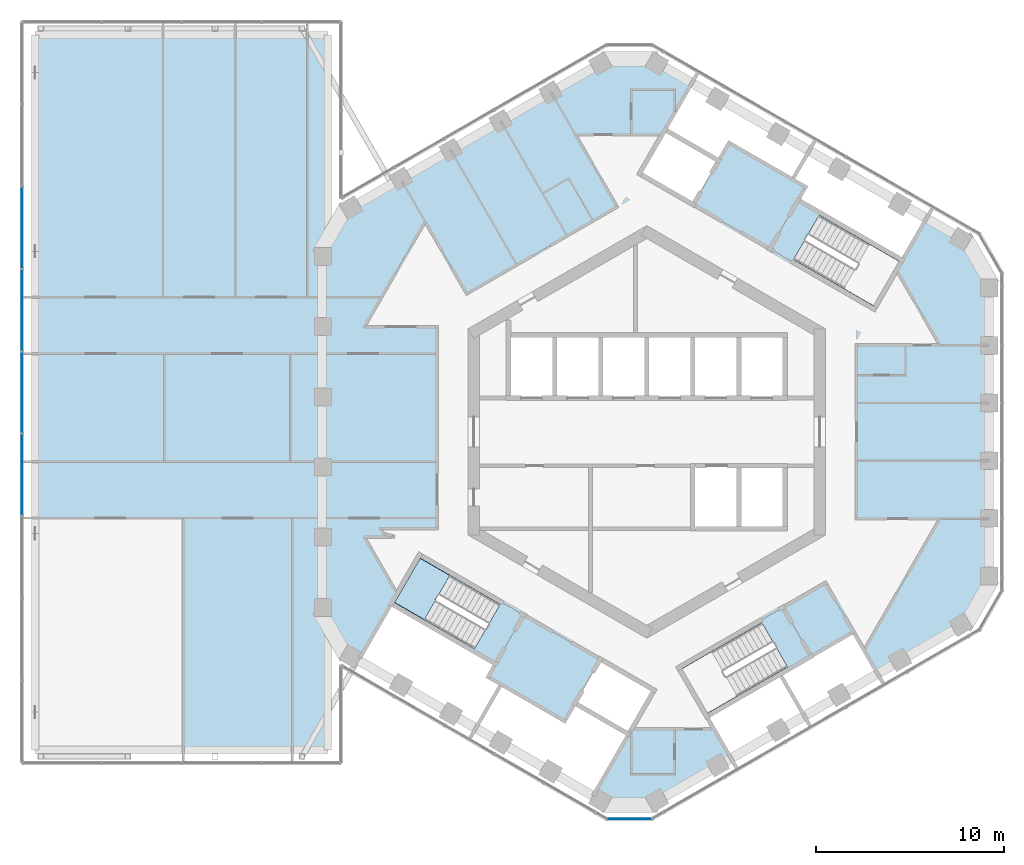
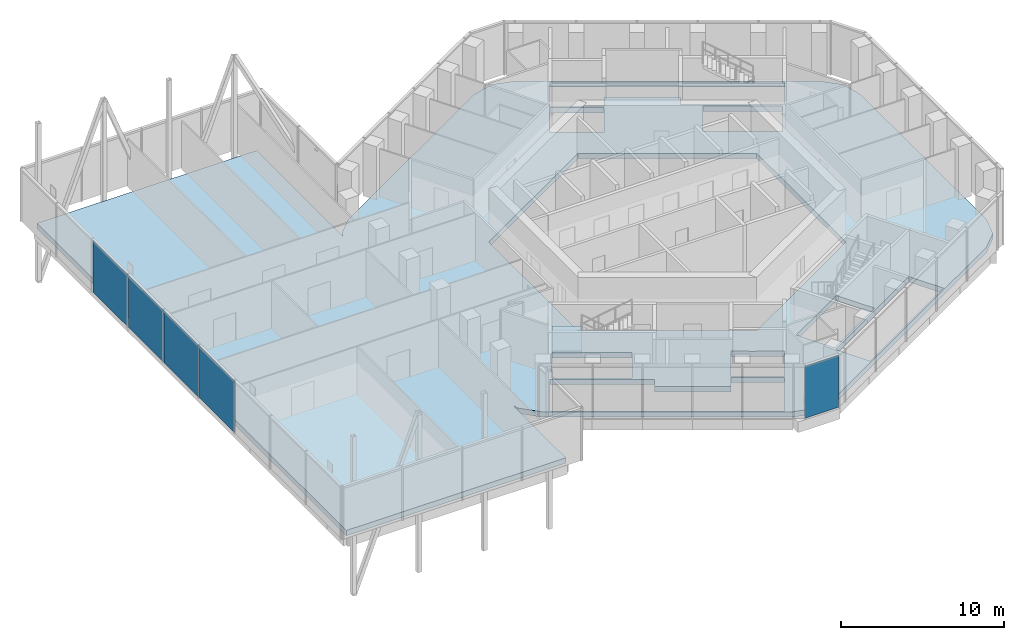
# One storey, part 10 of 21: 5 plates, 2 slabs, 3 elements without a shape of their own.
"""IFC4 building model written with IfcOpenShell, lengths in metres."""

import ifcopenshell
import ifcopenshell.guid

model = None  # the IFC model being written
_history = None  # IfcOwnerHistory: only IFC2X3 demands one
_inside = {}  # id of a spatial element -> (the spatial element, [elements in it])
_under = {}  # id of a project, library or spatial element -> (it, [spatial elements below it])
_declared = {}  # id of a project -> (the project, [libraries it declares])
_typed = {}  # id of a type object -> (the type object, [elements of that type])
_made_of = {}  # id of a material, layer set ... -> (it, [elements and type objects made of it])


def new_model(schema):
    """Start an empty IFC model of exactly this schema.

    Asked for "IFC4X3", IfcOpenShell would pick the latest addendum, in which some entities
    have other attributes; the version numbers below select the first issue.
    IFC2X3 requires an IfcOwnerHistory on every rooted entity: one is made here for all.
    """
    global model, _history
    if schema == "IFC4X3":
        model = ifcopenshell.file(schema_version=(4, 3, 0, 0))
    else:
        model = ifcopenshell.file(schema=schema)
    _inside.clear()
    _under.clear()
    _declared.clear()
    _typed.clear()
    _made_of.clear()
    _history = None
    if model.schema == "IFC2X3":
        org = make("IfcOrganization", Name="unknown")
        user = make(
            "IfcPersonAndOrganization",
            ThePerson=make("IfcPerson", FamilyName="unknown"),
            TheOrganization=org,
        )
        app = make(
            "IfcApplication",
            ApplicationDeveloper=org,
            Version="unknown",
            ApplicationFullName="unknown",
            ApplicationIdentifier="unknown",
        )
        _history = make(
            "IfcOwnerHistory",
            OwningUser=user,
            OwningApplication=app,
            ChangeAction="ADDED",
            CreationDate=0,
        )
    return model


def make(cls, **values):
    """One entity of the class cls with the attributes given. An attribute that is None is left unset."""
    return model.create_entity(
        cls, **{name: value for name, value in values.items() if value is not None}
    )


def rooted(cls, **values):
    """An entity with a GlobalId (a new one), such as an element, a storey or a relation."""
    return make(cls, GlobalId=ifcopenshell.guid.new(), OwnerHistory=_history, **values)


def si_unit(unit_type, name, prefix=None):
    """IfcSIUnit, for example si_unit("LENGTHUNIT", "METRE", prefix="MILLI")."""
    return make("IfcSIUnit", UnitType=unit_type, Prefix=prefix, Name=name)


def assignment(units):
    """IfcUnitAssignment: the units of a project."""
    return None if units is None else make("IfcUnitAssignment", Units=units)


def point(xyz):
    """IfcCartesianPoint."""
    return None if xyz is None else make("IfcCartesianPoint", Coordinates=xyz)


def direction(xyz):
    """IfcDirection."""
    return None if xyz is None else make("IfcDirection", DirectionRatios=xyz)


def frame(location, z_axis=None, x_axis=None):
    """IfcAxis2Placement3D, a coordinate frame: its origin and axes. An axis left out is left unset."""
    return make(
        "IfcAxis2Placement3D",
        Location=point(location),
        Axis=direction(z_axis),
        RefDirection=direction(x_axis),
    )


def frame_2d(location, x_axis=None):
    """IfcAxis2Placement2D, a coordinate frame in the plane: its origin and x axis."""
    return make(
        "IfcAxis2Placement2D", Location=point(location), RefDirection=direction(x_axis)
    )


def origin():
    """The frame at (0, 0, 0) with its axes left unset."""
    return frame((0.0, 0.0, 0.0))


def origin_2d():
    """The frame at (0, 0) in the plane with its x axis left unset."""
    return frame_2d((0.0, 0.0))


def place(relative_to, where):
    """IfcLocalPlacement: puts the frame where relative to a parent placement (None: the world)."""
    return make(
        "IfcLocalPlacement", PlacementRelTo=relative_to, RelativePlacement=where
    )


def context(
    kind, dimensions, precision=None, world=None, true_north=None, identifier=None
):
    """IfcGeometricRepresentationContext, for example the 3D "Model" context."""
    return make(
        "IfcGeometricRepresentationContext",
        ContextIdentifier=identifier,
        ContextType=kind,
        CoordinateSpaceDimension=dimensions,
        Precision=precision,
        WorldCoordinateSystem=world,
        TrueNorth=true_north,
    )


def subcontext(parent, identifier, kind, view, scale=None):
    """IfcGeometricRepresentationSubContext, for example "Body" below "Model"."""
    return make(
        "IfcGeometricRepresentationSubContext",
        ContextIdentifier=identifier,
        ContextType=kind,
        ParentContext=parent,
        TargetScale=scale,
        TargetView=view,
    )


def project(units=None, contexts=None):
    """IfcProject with its units and contexts."""
    return rooted(
        "IfcProject",
        Name="project",
        RepresentationContexts=contexts,
        UnitsInContext=assignment(units),
    )


def spatial(cls, under=None, at=None, **own):
    """A site, building, storey or space (cls), placed at a placement, below another one or the project."""
    s = rooted(cls, ObjectPlacement=at, **own)
    if under is not None:
        _under.setdefault(under.id(), (under, []))[1].append(s)
    return s


def polyline(points):
    """IfcPolyline through the points."""
    return make("IfcPolyline", Points=[point(p) for p in points])


def profile(cls, at=None, kind="AREA", **sizes):
    """A parametric profile (cls). Its sizes go by their IFC names, for example OverallWidth=200.0."""
    return make(cls, ProfileType=kind, Position=at, **sizes)


def rectangle(**sizes):
    """IfcRectangleProfileDef."""
    return profile("IfcRectangleProfileDef", **sizes)


def outline(outer, holes=None, kind="AREA"):
    """IfcArbitraryClosedProfileDef: a profile drawn as a closed curve; with holes, ...WithVoids."""
    if holes is None:
        return make("IfcArbitraryClosedProfileDef", ProfileType=kind, OuterCurve=outer)
    return make(
        "IfcArbitraryProfileDefWithVoids",
        ProfileType=kind,
        OuterCurve=outer,
        InnerCurves=holes,
    )


def extrude(swept, where, along, depth):
    """IfcExtrudedAreaSolid: the profile swept, set in the frame where, extruded along a direction by depth."""
    return make(
        "IfcExtrudedAreaSolid",
        SweptArea=swept,
        Position=where,
        ExtrudedDirection=direction(along),
        Depth=depth,
    )


def shape(context_of_items, identifier, shape_type, items):
    """IfcShapeRepresentation: the items that make up one representation, for example the "Body"."""
    return make(
        "IfcShapeRepresentation",
        ContextOfItems=context_of_items,
        RepresentationIdentifier=identifier,
        RepresentationType=shape_type,
        Items=items,
    )


def material(Name=None, Category=None):
    """IfcMaterial."""
    return make("IfcMaterial", Name=Name, Category=Category)


def layer(
    of_material, thickness, ventilated=None, Name=None, Category=None, Priority=None
):
    """IfcMaterialLayer: one layer of a wall or slab, of a material (None: an air gap)."""
    return make(
        "IfcMaterialLayer",
        Material=of_material,
        LayerThickness=thickness,
        IsVentilated=ventilated,
        Name=Name,
        Category=Category,
        Priority=Priority,
    )


def layer_set(layers, Name=None):
    """IfcMaterialLayerSet."""
    return make("IfcMaterialLayerSet", MaterialLayers=layers, LayerSetName=Name)


def made_of(thing, what):
    """Note that an element or type object is made of a material, layer set ...; save() writes the relation."""
    if what is not None:
        _made_of.setdefault(what.id(), (what, []))[1].append(thing)
    return thing


def type_object(cls, material=None, **own):
    """A type object (cls), such as IfcWallType, which elements share."""
    return made_of(rooted(cls, **own), material)


def element(
    cls,
    number,
    at=None,
    inside=None,
    cuts=None,
    type_object=None,
    material=None,
    context=None,
    identifier="Body",
    shape_type=None,
    held_by="IfcProductDefinitionShape",
    body=None,
    shapes=None,
    **own,
):
    """One element of the class cls, such as IfcWall. Its Tag is "e" and its number.

    at: its placement. inside: the storey or other place that contains it. cuts: it is an
    opening in that element (IfcRelVoidsElement). A single representation is given by context,
    identifier, shape_type and body (its items); several are given by shapes. held_by: the class
    of the entity that holds the representations. save() writes the other relations.
    """
    e = rooted(cls, Tag="e%d" % number, ObjectPlacement=at, **own)
    if body is not None:
        shapes = [shape(context, identifier, shape_type, body)]
    if shapes is not None:
        e.Representation = make(held_by, Representations=shapes)
    if inside is not None:
        _inside.setdefault(inside.id(), (inside, []))[1].append(e)
    if cuts is not None:
        rooted(
            "IfcRelVoidsElement", RelatingBuildingElement=cuts, RelatedOpeningElement=e
        )
    if type_object is not None:
        _typed.setdefault(type_object.id(), (type_object, []))[1].append(e)
    return made_of(e, material)


def aggregate(whole, parts):
    """IfcRelAggregates: a whole, such as a stair, and the parts it consists of."""
    return rooted("IfcRelAggregates", RelatingObject=whole, RelatedObjects=parts)


def save(model, path):
    """Write the relations noted so far, then the file.

    IfcRelAggregates (storeys below a building ...), IfcRelContainedInSpatialStructure (elements
    in a storey), IfcRelDefinesByType, IfcRelAssociatesMaterial and IfcRelDeclares: one each for
    every whole, place, type object, material and project.
    """
    for whole, parts in _under.values():
        aggregate(whole, parts)
    for where, things in _inside.values():
        rooted(
            "IfcRelContainedInSpatialStructure",
            RelatedElements=things,
            RelatingStructure=where,
        )
    for kind, things in _typed.values():
        rooted("IfcRelDefinesByType", RelatedObjects=things, RelatingType=kind)
    for what, things in _made_of.values():
        rooted("IfcRelAssociatesMaterial", RelatedObjects=things, RelatingMaterial=what)
    for by, libraries in _declared.values():
        rooted("IfcRelDeclares", RelatingContext=by, RelatedDefinitions=libraries)
    model.write(path)


model = new_model("IFC4")

# Units and contexts
model_context = context("Model", 3, precision=1e-05, world=origin(), true_north=direction((0.0, 1.0)))
body_context = subcontext(model_context, "Body", "Model", "MODEL_VIEW")
ifc_project = project(units=[si_unit("LENGTHUNIT", "METRE"), si_unit("AREAUNIT", "SQUARE_METRE"), si_unit("VOLUMEUNIT", "CUBIC_METRE"), si_unit("PLANEANGLEUNIT", "RADIAN"), si_unit("MASSUNIT", "GRAM", prefix="KILO")], contexts=[model_context])

# Site, building, storey
site_placement = place(None, origin())
site = spatial("IfcSite", under=ifc_project, at=site_placement, CompositionType="ELEMENT")
building_placement = place(site_placement, origin())
building = spatial("IfcBuilding", under=site, at=building_placement, Name="Ayvan Gate Tower", CompositionType="ELEMENT")
storey_placement = place(building_placement, frame((0.0, 0.0, 206.10009765625)))
storey = spatial("IfcBuildingStorey", under=building, at=storey_placement, Name="L55", CompositionType="ELEMENT", Elevation=206.10009765625)

# Slab
ifc_material_1 = material(Name="Concrete C40/50", Category="concrete")
ifc_layer_1 = layer(ifc_material_1, 0.39990234375)
ifc_layer_set_1 = layer_set([ifc_layer_1], Name="Concrete C40/50")
slab_type_1 = type_object("IfcSlabType", Name="Post-tensioned flat slab 400", PredefinedType="FLOOR", material=ifc_layer_set_1)
slab_1_placement = place(storey_placement, frame((0.0, 0.0, -0.400146484375)))
element("IfcSlab", 1, at=slab_1_placement, inside=storey, type_object=slab_type_1, Name="SL-L55", PredefinedType="FLOOR", context=body_context, shape_type="SweptSolid", body=[
    extrude(outline(polyline([(-16.8525390625, -10.80615234375), (-16.954345703125, -10.42578125), (-16.954345703125, -16.89990234375), (-32.524169921875, -16.89990234375), (-32.524169921875, 21.10009765625), (-16.954345703125, 21.10009765625), (-16.954345703125, 10.42578125), (-16.8525390625, 10.80615234375), (-15.75439453125, 11.904052734375), (-2.43212890625, 19.595947265625), (-0.93212890625, 19.997802734375), (0.56787109375, 19.595947265625), (16.6865234375, 10.289794921875), (17.78466796875, 9.191650390625), (18.1865234375, 7.691650390625), (18.1865234375, -7.691650390625), (17.78466796875, -9.191650390625), (16.6865234375, -10.289794921875), (0.56787109375, -19.595947265625), (-0.93212890625, -19.997802734375), (-2.43212890625, -19.595947265625), (-15.75439453125, -11.904052734375), (-16.8525390625, -10.80615234375)]), holes=[polyline([(8.44287109375, 13.0234375), (8.042724609375, 12.33056640625), (13.58544921875, 9.130615234375), (14.8125, 11.256103515625), (2.341796875, 18.4560546875), (1.0146484375, 16.157470703125), (3.87255859375, 14.50732421875), (4.37255859375, 15.373291015625), (7.75, 13.42333984375), (8.44287109375, 13.0234375)]), polyline([(7.80615234375, 9.170654296875), (12.049560546875, 6.720458984375), (13.404541015625, 9.0673828125), (9.1611328125, 11.517578125), (7.80615234375, 9.170654296875)]), polyline([(3.578369140625, -15.7978515625), (4.42041015625, -17.256103515625), (12.214599609375, -12.756103515625), (10.9873046875, -10.630615234375), (8.735595703125, -11.9306640625), (7.090087890625, -12.880615234375), (3.193115234375, -15.130615234375), (3.451904296875, -15.578857421875), (3.578369140625, -15.7978515625)]), polyline([(-9.5, -5.48486328125), (0.0, -10.9697265625), (9.5, -5.48486328125), (9.5, 5.48486328125), (0.0, 10.9697265625), (-9.5, 5.48486328125), (-9.5, -5.48486328125)]), polyline([(6.117431640625, -10.1455078125), (1.873779296875, -12.595458984375), (3.228759765625, -14.9423828125), (7.472412109375, -12.492431640625), (6.117431640625, -10.1455078125)]), polyline([(-0.385498046875, 13.732421875), (1.04443359375, 12.906982421875), (2.472412109375, 12.08251953125), (3.822509765625, 14.420654296875), (0.964599609375, 16.07080078125), (-0.385498046875, 13.732421875)]), polyline([(-1.17919921875, -12.829345703125), (-2.472412109375, -12.08251953125), (-3.822509765625, -14.420654296875), (-0.964599609375, -16.07080078125), (-0.806884765625, -15.7978515625), (-0.482421875, -15.235595703125), (0.385498046875, -13.732421875), (-0.515869140625, -13.212158203125), (-1.04443359375, -12.906982421875), (-1.17919921875, -12.829345703125)]), polyline([(-1.0146484375, -16.157470703125), (-3.87255859375, -14.50732421875), (-4.37255859375, -15.373291015625), (-7.75, -13.42333984375), (-8.44287109375, -13.0234375), (-8.042724609375, -12.33056640625), (-13.58544921875, -9.130615234375), (-15.278564453125, -12.0634765625), (-2.807861328125, -19.263427734375), (-1.0146484375, -16.157470703125)]), polyline([(-13.404541015625, -9.0673828125), (-9.1611328125, -11.517578125), (-7.80615234375, -9.170654296875), (-12.049560546875, -6.720458984375), (-13.404541015625, -9.0673828125)])]), origin(), (0.0, 0.0, 1.0), 0.400146484375),
])

# Stair, slab
stair_type = type_object("IfcStairType", Name="ST-EXIT", PredefinedType="HALF_TURN_STAIR", material=ifc_material_1)
stair_placement = place(storey_placement, origin())
stair = element("IfcStair", 2, at=stair_placement, inside=storey, type_object=stair_type, Name="L55 Exit Stair S2", PredefinedType="HALF_TURN_STAIR")
ifc_layer_2 = layer(ifc_material_1, 0.199951171875)
ifc_layer_set_2 = layer_set([ifc_layer_2], Name="Concrete C40/50")
slab_type_2 = type_object("IfcSlabType", Name="SL-LANDING-200", PredefinedType="LANDING", material=ifc_layer_set_2)
slab_2_placement = place(storey_placement, frame((0.0, 0.0, 1.7998046875)))
slab_2 = element("IfcSlab", 3, at=slab_2_placement, type_object=slab_type_2, Name="STS2 landing 1", PredefinedType="LANDING", context=body_context, shape_type="SweptSolid", body=[
    extrude(outline(polyline([(-10.473388671875, -7.630615234375), (-12.049560546875, -6.720458984375), (-13.404541015625, -9.0673828125), (-11.828369140625, -9.9775390625), (-10.473388671875, -7.630615234375)])), origin(), (0.0, 0.0, 1.0), 0.2001953125),
])
aggregate(stair, [slab_2])

# Curtain wall, plates
ifc_material_2 = material(Name="Bronze anodised aluminium", Category="aluminium")
ifc_layer_3 = layer(ifc_material_2, 0.199951171875)
ifc_layer_set_3 = layer_set([ifc_layer_3], Name="Bronze anodised aluminium")
curtain_wall_type_1 = type_object("IfcCurtainWallType", Name="Stick curtain wall CW-4", PredefinedType="NOTDEFINED", material=ifc_layer_set_3)
curtain_wall_1_placement = place(storey_placement, origin())
curtain_wall_1 = element("IfcCurtainWall", 4, at=curtain_wall_1_placement, inside=storey, type_object=curtain_wall_type_1, Name="Stick curtain wall CW-4 L55", PredefinedType="NOTDEFINED")
ifc_material_3 = material(Name="Pale anodised aluminium composite panel", Category="aluminium")
ifc_layer_4 = layer(ifc_material_3, 0.028076171875)
ifc_layer_set_4 = layer_set([ifc_layer_4], Name="Pale anodised aluminium composite panel")
plate_type_1 = type_object("IfcPlateType", Name="Stick curtain wall CW-4 solid panel", PredefinedType="CURTAIN_PANEL", material=ifc_layer_set_4)
plate_1_placement = place(storey_placement, frame((-33.224365234375, 10.85546875, 0.0), z_axis=(0.0, 0.0, 1.0), x_axis=(0.0, -1.0, 0.0)))
plate_1 = element("IfcPlate", 5, at=plate_1_placement, type_object=plate_type_1, Name="CW-4 solid panel 3", PredefinedType="CURTAIN_PANEL", context=body_context, shape_type="SweptSolid", body=[
    extrude(rectangle(XDim=4.2978515625, YDim=0.028076171875, at=origin_2d()), origin(), (0.0, 0.0, 1.0), 3.860107421875),
])
plate_2_placement = place(storey_placement, frame((-33.224365234375, 6.477783203125, 0.0), z_axis=(0.0, 0.0, 1.0), x_axis=(0.0, -1.0, 0.0)))
plate_2 = element("IfcPlate", 6, at=plate_2_placement, type_object=plate_type_1, Name="CW-4 solid panel 4", PredefinedType="CURTAIN_PANEL", context=body_context, shape_type="SweptSolid", body=[
    extrude(rectangle(XDim=4.2978515625, YDim=0.028076171875, at=origin_2d()), origin(), (0.0, 0.0, 1.0), 3.860107421875),
])
plate_3_placement = place(storey_placement, frame((-33.224365234375, 2.10009765625, 0.0), z_axis=(0.0, 0.0, 1.0), x_axis=(0.0, -1.0, 0.0)))
plate_3 = element("IfcPlate", 7, at=plate_3_placement, type_object=plate_type_1, Name="CW-4 solid panel 5", PredefinedType="CURTAIN_PANEL", context=body_context, shape_type="SweptSolid", body=[
    extrude(rectangle(XDim=4.2978515625, YDim=0.028076171875, at=origin_2d()), origin(), (0.0, 0.0, 1.0), 3.860107421875),
])
plate_4_placement = place(storey_placement, frame((-33.224365234375, -2.27783203125, 0.0), z_axis=(0.0, 0.0, 1.0), x_axis=(0.0, -1.0, 0.0)))
plate_4 = element("IfcPlate", 8, at=plate_4_placement, type_object=plate_type_1, Name="CW-4 solid panel 6", PredefinedType="CURTAIN_PANEL", context=body_context, shape_type="SweptSolid", body=[
    extrude(rectangle(XDim=4.2978515625, YDim=0.028076171875, at=origin_2d()), origin(), (0.0, 0.0, 1.0), 3.860107421875),
])
aggregate(curtain_wall_1, [plate_1, plate_2, plate_3, plate_4])

# Curtain wall, plate
ifc_layer_5 = layer(ifc_material_2, 0.199951171875)
ifc_layer_set_5 = layer_set([ifc_layer_5], Name="Bronze anodised aluminium")
curtain_wall_type_2 = type_object("IfcCurtainWallType", Name="Stick curtain wall CW-6", PredefinedType="NOTDEFINED", material=ifc_layer_set_5)
curtain_wall_2_placement = place(storey_placement, origin())
curtain_wall_2 = element("IfcCurtainWall", 9, at=curtain_wall_2_placement, inside=storey, type_object=curtain_wall_type_2, Name="Stick curtain wall CW-6 L55", PredefinedType="NOTDEFINED")
ifc_material_4 = material(Name="Clear low-iron laminated glass", Category="glass")
ifc_layer_6 = layer(ifc_material_4, 0.028076171875)
ifc_layer_set_6 = layer_set([ifc_layer_6], Name="Clear low-iron laminated glass")
plate_type_2 = type_object("IfcPlateType", Name="Stick curtain wall CW-6 glass panel", PredefinedType="CURTAIN_PANEL", material=ifc_layer_set_6)
plate_5_placement = place(storey_placement, frame((-0.93212890625, -20.5732421875, 0.0), z_axis=(0.0, 0.0, 1.0), x_axis=(1.0, 0.0, 0.0)))
plate_5 = element("IfcPlate", 10, at=plate_5_placement, type_object=plate_type_2, Name="CW-6 glass panel 2", PredefinedType="CURTAIN_PANEL", context=body_context, shape_type="SweptSolid", body=[
    extrude(rectangle(XDim=2.364501953125, YDim=0.028076171875, at=origin_2d()), origin(), (0.0, 0.0, 1.0), 3.8798828125),
])
aggregate(curtain_wall_2, [plate_5])

save(model, "model.ifc")
